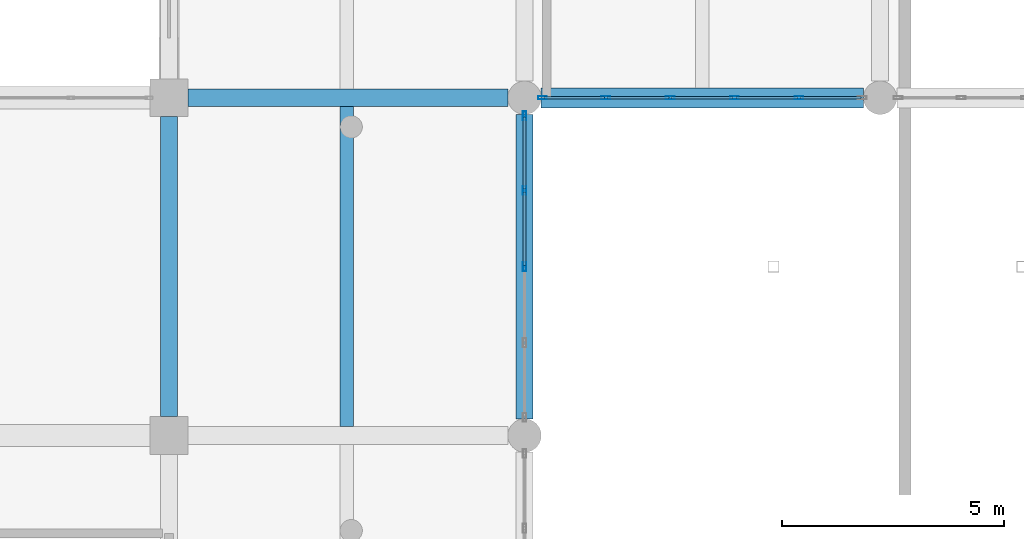
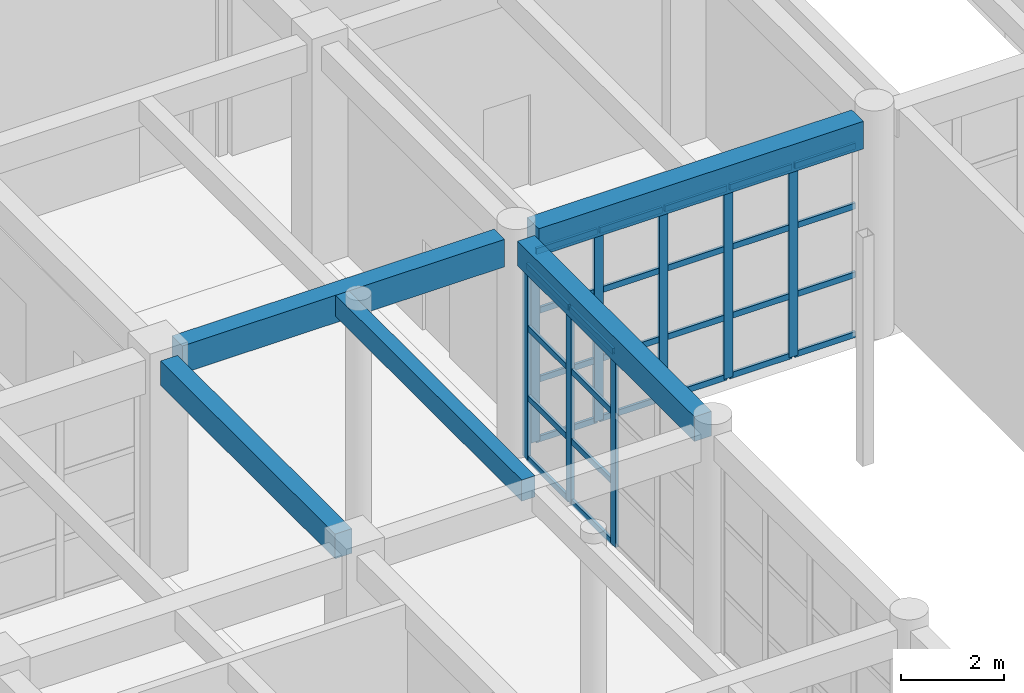
# One storey, part 46 of 95: 36 members, 5 beams, 2 elements without a shape of their own.
"""IFC4 building model written with IfcOpenShell, lengths in metres."""

from ifc_helpers import new_model, si_unit, direction, frame, origin, origin_2d, place, context, subcontext, project, spatial, rectangle, hollow_rectangle, extrude, material, material_profile, profile_set, type_object, element, aggregate, save


model = new_model("IFC4")

# Units and contexts
model_context = context("Model", 3, precision=1e-05, world=origin(), true_north=direction((0.0, 1.0)))
body_context = subcontext(model_context, "Body", "Model", "MODEL_VIEW")
ifc_project = project(units=[si_unit("LENGTHUNIT", "METRE"), si_unit("AREAUNIT", "SQUARE_METRE"), si_unit("VOLUMEUNIT", "CUBIC_METRE"), si_unit("PLANEANGLEUNIT", "RADIAN"), si_unit("MASSUNIT", "GRAM", prefix="KILO")], contexts=[model_context])

# Site, building, storey
site_placement = place(None, origin())
site = spatial("IfcSite", under=ifc_project, at=site_placement, CompositionType="ELEMENT")
building_placement = place(site_placement, origin())
building = spatial("IfcBuilding", under=site, at=building_placement, Name="Zantavel Square City Hall", CompositionType="ELEMENT")
storey_placement = place(building_placement, origin())
storey = spatial("IfcBuildingStorey", under=building, at=storey_placement, Name="L01", CompositionType="ELEMENT", Elevation=0.0)

# Beams
ifc_material_1 = material(Name="Concrete C35/45", Category="concrete")
ifc_material_profile_1 = material_profile(ifc_material_1, rectangle(XDim=0.3798828125, YDim=0.580078125, at=origin_2d()), Name="RC 380x580")
ifc_profile_set_1 = profile_set([ifc_material_profile_1], Name="Concrete C35/45")
beam_type_1 = type_object("IfcBeamType", Name="Annex Secondary Beam RC 380x580 C35/45", PredefinedType="BEAM", material=ifc_profile_set_1)
beam_1_placement = place(storey_placement, frame((112.0, 61.22509765625, 4.8701171875), z_axis=(0.0, 1.0, 0.0), x_axis=(-1.0, 0.0, 0.0)))
element("IfcBeam", 1, at=beam_1_placement, inside=storey, type_object=beam_type_1, Name="L01 Beam BMY-L01-1120-0608", PredefinedType="BEAM", context=body_context, shape_type="SweptSolid", body=[
    extrude(rectangle(XDim=0.3798828125, YDim=0.580078125, at=origin_2d()), origin(), (0.0, 0.0, 1.0), 6.75),
])
beam_2_placement = place(storey_placement, frame((120.0, 61.175048828125, 4.8701171875), z_axis=(0.0, 1.0, 0.0), x_axis=(-1.0, 0.0, 0.0)))
element("IfcBeam", 2, at=beam_2_placement, inside=storey, type_object=beam_type_1, Name="L01 Beam BMY-L01-1200-0608", PredefinedType="BEAM", context=body_context, shape_type="SweptSolid", body=[
    extrude(rectangle(XDim=0.3798828125, YDim=0.580078125, at=origin_2d()), origin(), (0.0, 0.0, 1.0), 6.849853515625),
])

# Curtain wall, members
ifc_material_2 = material(Name="Anodised aluminium 6063-T6", Category="aluminium")
curtain_wall_type_1 = type_object("IfcCurtainWallType", Name="Curtain Wall CRT 7250x4510", PredefinedType="USERDEFINED", material=ifc_material_2)
curtain_wall_1_placement = place(storey_placement, origin())
curtain_wall_1 = element("IfcCurtainWall", 3, at=curtain_wall_1_placement, inside=storey, type_object=curtain_wall_type_1, Name="L01 Glazed Curtain Wall CW-L01-022", ObjectType="GLAZED CURTAIN WALL", PredefinedType="USERDEFINED")
ifc_material_profile_2 = material_profile(ifc_material_2, hollow_rectangle(XDim=0.070068359375, YDim=0.199951171875, WallThickness=0.00439453125, at=origin_2d()), Name="ALU 70x200x4.5")
ifc_profile_set_2 = profile_set([ifc_material_profile_2], Name="Anodised aluminium 6063-T6")
member_type_1 = type_object("IfcMemberType", Name="CW Heavy Hall Mullion ALU 70x200x4.5", PredefinedType="MULLION", material=ifc_profile_set_2)
member_1_placement = place(storey_placement, frame((126.175048828125, 68.39990234375, 0.0), z_axis=(0.0, 0.0, 1.0), x_axis=(0.0, -1.0, 0.0)))
member_1 = element("IfcMember", 4, at=member_1_placement, type_object=member_type_1, Name="CW-022 mullion 2", PredefinedType="MULLION", context=body_context, shape_type="SweptSolid", body=[
    extrude(hollow_rectangle(XDim=0.070068359375, YDim=0.199951171875, WallThickness=0.00439453125, at=origin_2d()), origin(), (0.0, 0.0, 1.0), 4.510009765625),
])
member_2_placement = place(storey_placement, frame((124.72509765625, 68.39990234375, 0.0), z_axis=(0.0, 0.0, 1.0), x_axis=(0.0, -1.0, 0.0)))
member_2 = element("IfcMember", 5, at=member_2_placement, type_object=member_type_1, Name="CW-022 mullion 3", PredefinedType="MULLION", context=body_context, shape_type="SweptSolid", body=[
    extrude(hollow_rectangle(XDim=0.070068359375, YDim=0.199951171875, WallThickness=0.00439453125, at=origin_2d()), origin(), (0.0, 0.0, 1.0), 4.510009765625),
])
member_3_placement = place(storey_placement, frame((123.27490234375, 68.39990234375, 0.0), z_axis=(0.0, 0.0, 1.0), x_axis=(0.0, -1.0, 0.0)))
member_3 = element("IfcMember", 6, at=member_3_placement, type_object=member_type_1, Name="CW-022 mullion 4", PredefinedType="MULLION", context=body_context, shape_type="SweptSolid", body=[
    extrude(hollow_rectangle(XDim=0.070068359375, YDim=0.199951171875, WallThickness=0.00439453125, at=origin_2d()), origin(), (0.0, 0.0, 1.0), 4.510009765625),
])
member_4_placement = place(storey_placement, frame((121.824951171875, 68.39990234375, 0.0), z_axis=(0.0, 0.0, 1.0), x_axis=(0.0, -1.0, 0.0)))
member_4 = element("IfcMember", 7, at=member_4_placement, type_object=member_type_1, Name="CW-022 mullion 5", PredefinedType="MULLION", context=body_context, shape_type="SweptSolid", body=[
    extrude(hollow_rectangle(XDim=0.070068359375, YDim=0.199951171875, WallThickness=0.00439453125, at=origin_2d()), origin(), (0.0, 0.0, 1.0), 4.510009765625),
])
member_5_placement = place(storey_placement, frame((120.405029296875, 68.39990234375, 0.0), z_axis=(0.0, 0.0, 1.0), x_axis=(0.0, -1.0, 0.0)))
member_5 = element("IfcMember", 8, at=member_5_placement, type_object=member_type_1, Name="CW-022 mullion 6", PredefinedType="MULLION", context=body_context, shape_type="SweptSolid", body=[
    extrude(hollow_rectangle(XDim=0.070068359375, YDim=0.199951171875, WallThickness=0.00439453125, at=origin_2d()), origin(), (0.0, 0.0, 1.0), 4.510009765625),
])

curtain_wall_type_2 = type_object("IfcCurtainWallType", Name="Curtain Wall CRT 6850x4580", PredefinedType="USERDEFINED", material=ifc_material_2)
curtain_wall_2_placement = place(storey_placement, origin())
curtain_wall_2 = element("IfcCurtainWall", 9, at=curtain_wall_2_placement, inside=storey, type_object=curtain_wall_type_2, Name="L01 Glazed Curtain Wall CW-L01-023", ObjectType="GLAZED CURTAIN WALL", PredefinedType="USERDEFINED")
member_6_placement = place(storey_placement, frame((120.0, 67.9951171875, 0.0), z_axis=(0.0, 0.0, 1.0), x_axis=(1.0, 0.0, 0.0)))
member_6 = element("IfcMember", 10, at=member_6_placement, type_object=member_type_1, Name="CW-023 mullion 1", PredefinedType="MULLION", context=body_context, shape_type="SweptSolid", body=[
    extrude(hollow_rectangle(XDim=0.070068359375, YDim=0.199951171875, WallThickness=0.00439453125, at=origin_2d()), origin(), (0.0, 0.0, 1.0), 4.580078125),
])
member_7_placement = place(storey_placement, frame((120.0, 66.3125, 0.0), z_axis=(0.0, 0.0, 1.0), x_axis=(1.0, 0.0, 0.0)))
member_7 = element("IfcMember", 11, at=member_7_placement, type_object=member_type_1, Name="CW-023 mullion 2", PredefinedType="MULLION", context=body_context, shape_type="SweptSolid", body=[
    extrude(hollow_rectangle(XDim=0.070068359375, YDim=0.199951171875, WallThickness=0.00439453125, at=origin_2d()), origin(), (0.0, 0.0, 1.0), 4.580078125),
])
member_8_placement = place(storey_placement, frame((120.0, 64.60009765625, 0.0), z_axis=(0.0, 0.0, 1.0), x_axis=(1.0, 0.0, 0.0)))
member_8 = element("IfcMember", 12, at=member_8_placement, type_object=member_type_1, Name="CW-023 mullion 3", PredefinedType="MULLION", context=body_context, shape_type="SweptSolid", body=[
    extrude(hollow_rectangle(XDim=0.070068359375, YDim=0.199951171875, WallThickness=0.00439453125, at=origin_2d()), origin(), (0.0, 0.0, 1.0), 4.580078125),
])

# Member
ifc_material_profile_3 = material_profile(ifc_material_2, hollow_rectangle(XDim=0.06005859375, YDim=0.139892578125, WallThickness=0.00390625, at=origin_2d()), Name="ALU 60x140x4")
ifc_profile_set_3 = profile_set([ifc_material_profile_3], Name="Anodised aluminium 6063-T6")
member_type_2 = type_object("IfcMemberType", Name="CW Transom ALU 60x140x4", PredefinedType="USERDEFINED", material=ifc_profile_set_3)
member_9_placement = place(storey_placement, frame((127.56494140625, 68.39990234375, 0.030029296875), z_axis=(-1.0, 0.0, 0.0), x_axis=(0.0, -1.0, 0.0)))
member_9 = element("IfcMember", 13, at=member_9_placement, type_object=member_type_2, Name="CW-022 transom 1.1", ObjectType="TRANSOM", PredefinedType="USERDEFINED", context=body_context, shape_type="SweptSolid", body=[
    extrude(hollow_rectangle(XDim=0.06005859375, YDim=0.139892578125, WallThickness=0.00390625, at=origin_2d()), origin(), (0.0, 0.0, 1.0), 1.35986328125),
])

member_10_placement = place(storey_placement, frame((127.56494140625, 68.39990234375, 1.443115234375), z_axis=(-1.0, 0.0, 0.0), x_axis=(0.0, -1.0, 0.0)))
member_10 = element("IfcMember", 14, at=member_10_placement, type_object=member_type_2, Name="CW-022 transom 1.2", ObjectType="TRANSOM", PredefinedType="USERDEFINED", context=body_context, shape_type="SweptSolid", body=[
    extrude(hollow_rectangle(XDim=0.06005859375, YDim=0.139892578125, WallThickness=0.00390625, at=origin_2d()), origin(), (0.0, 0.0, 1.0), 1.35986328125),
])

member_11_placement = place(storey_placement, frame((127.56494140625, 68.39990234375, 3.06689453125), z_axis=(-1.0, 0.0, 0.0), x_axis=(0.0, -1.0, 0.0)))
member_11 = element("IfcMember", 15, at=member_11_placement, type_object=member_type_2, Name="CW-022 transom 1.3", ObjectType="TRANSOM", PredefinedType="USERDEFINED", context=body_context, shape_type="SweptSolid", body=[
    extrude(hollow_rectangle(XDim=0.06005859375, YDim=0.139892578125, WallThickness=0.00390625, at=origin_2d()), origin(), (0.0, 0.0, 1.0), 1.35986328125),
])

member_12_placement = place(storey_placement, frame((127.56494140625, 68.39990234375, 4.47998046875), z_axis=(-1.0, 0.0, 0.0), x_axis=(0.0, -1.0, 0.0)))
member_12 = element("IfcMember", 16, at=member_12_placement, type_object=member_type_2, Name="CW-022 transom 1.4", ObjectType="TRANSOM", PredefinedType="USERDEFINED", context=body_context, shape_type="SweptSolid", body=[
    extrude(hollow_rectangle(XDim=0.06005859375, YDim=0.139892578125, WallThickness=0.00390625, at=origin_2d()), origin(), (0.0, 0.0, 1.0), 1.35986328125),
])

member_13_placement = place(storey_placement, frame((126.14501953125, 68.39990234375, 0.030029296875), z_axis=(-1.0, 0.0, 0.0), x_axis=(0.0, -1.0, 0.0)))
member_13 = element("IfcMember", 17, at=member_13_placement, type_object=member_type_2, Name="CW-022 transom 2.1", ObjectType="TRANSOM", PredefinedType="USERDEFINED", context=body_context, shape_type="SweptSolid", body=[
    extrude(hollow_rectangle(XDim=0.06005859375, YDim=0.139892578125, WallThickness=0.00390625, at=origin_2d()), origin(), (0.0, 0.0, 1.0), 1.39013671875),
])

member_14_placement = place(storey_placement, frame((126.14501953125, 68.39990234375, 1.443115234375), z_axis=(-1.0, 0.0, 0.0), x_axis=(0.0, -1.0, 0.0)))
member_14 = element("IfcMember", 18, at=member_14_placement, type_object=member_type_2, Name="CW-022 transom 2.2", ObjectType="TRANSOM", PredefinedType="USERDEFINED", context=body_context, shape_type="SweptSolid", body=[
    extrude(hollow_rectangle(XDim=0.06005859375, YDim=0.139892578125, WallThickness=0.00390625, at=origin_2d()), origin(), (0.0, 0.0, 1.0), 1.39013671875),
])

member_15_placement = place(storey_placement, frame((126.14501953125, 68.39990234375, 3.06689453125), z_axis=(-1.0, 0.0, 0.0), x_axis=(0.0, -1.0, 0.0)))
member_15 = element("IfcMember", 19, at=member_15_placement, type_object=member_type_2, Name="CW-022 transom 2.3", ObjectType="TRANSOM", PredefinedType="USERDEFINED", context=body_context, shape_type="SweptSolid", body=[
    extrude(hollow_rectangle(XDim=0.06005859375, YDim=0.139892578125, WallThickness=0.00390625, at=origin_2d()), origin(), (0.0, 0.0, 1.0), 1.39013671875),
])

member_16_placement = place(storey_placement, frame((126.14501953125, 68.39990234375, 4.47998046875), z_axis=(-1.0, 0.0, 0.0), x_axis=(0.0, -1.0, 0.0)))
member_16 = element("IfcMember", 20, at=member_16_placement, type_object=member_type_2, Name="CW-022 transom 2.4", ObjectType="TRANSOM", PredefinedType="USERDEFINED", context=body_context, shape_type="SweptSolid", body=[
    extrude(hollow_rectangle(XDim=0.06005859375, YDim=0.139892578125, WallThickness=0.00390625, at=origin_2d()), origin(), (0.0, 0.0, 1.0), 1.39013671875),
])

member_17_placement = place(storey_placement, frame((124.695068359375, 68.39990234375, 0.030029296875), z_axis=(-1.0, 0.0, 0.0), x_axis=(0.0, -1.0, 0.0)))
member_17 = element("IfcMember", 21, at=member_17_placement, type_object=member_type_2, Name="CW-022 transom 3.1", ObjectType="TRANSOM", PredefinedType="USERDEFINED", context=body_context, shape_type="SweptSolid", body=[
    extrude(hollow_rectangle(XDim=0.06005859375, YDim=0.139892578125, WallThickness=0.00390625, at=origin_2d()), origin(), (0.0, 0.0, 1.0), 1.39013671875),
])

member_18_placement = place(storey_placement, frame((124.695068359375, 68.39990234375, 1.443115234375), z_axis=(-1.0, 0.0, 0.0), x_axis=(0.0, -1.0, 0.0)))
member_18 = element("IfcMember", 22, at=member_18_placement, type_object=member_type_2, Name="CW-022 transom 3.2", ObjectType="TRANSOM", PredefinedType="USERDEFINED", context=body_context, shape_type="SweptSolid", body=[
    extrude(hollow_rectangle(XDim=0.06005859375, YDim=0.139892578125, WallThickness=0.00390625, at=origin_2d()), origin(), (0.0, 0.0, 1.0), 1.39013671875),
])

member_19_placement = place(storey_placement, frame((124.695068359375, 68.39990234375, 3.06689453125), z_axis=(-1.0, 0.0, 0.0), x_axis=(0.0, -1.0, 0.0)))
member_19 = element("IfcMember", 23, at=member_19_placement, type_object=member_type_2, Name="CW-022 transom 3.3", ObjectType="TRANSOM", PredefinedType="USERDEFINED", context=body_context, shape_type="SweptSolid", body=[
    extrude(hollow_rectangle(XDim=0.06005859375, YDim=0.139892578125, WallThickness=0.00390625, at=origin_2d()), origin(), (0.0, 0.0, 1.0), 1.39013671875),
])

member_20_placement = place(storey_placement, frame((124.695068359375, 68.39990234375, 4.47998046875), z_axis=(-1.0, 0.0, 0.0), x_axis=(0.0, -1.0, 0.0)))
member_20 = element("IfcMember", 24, at=member_20_placement, type_object=member_type_2, Name="CW-022 transom 3.4", ObjectType="TRANSOM", PredefinedType="USERDEFINED", context=body_context, shape_type="SweptSolid", body=[
    extrude(hollow_rectangle(XDim=0.06005859375, YDim=0.139892578125, WallThickness=0.00390625, at=origin_2d()), origin(), (0.0, 0.0, 1.0), 1.39013671875),
])

member_21_placement = place(storey_placement, frame((123.2451171875, 68.39990234375, 0.030029296875), z_axis=(-1.0, 0.0, 0.0), x_axis=(0.0, -1.0, 0.0)))
member_21 = element("IfcMember", 25, at=member_21_placement, type_object=member_type_2, Name="CW-022 transom 4.1", ObjectType="TRANSOM", PredefinedType="USERDEFINED", context=body_context, shape_type="SweptSolid", body=[
    extrude(hollow_rectangle(XDim=0.06005859375, YDim=0.139892578125, WallThickness=0.00390625, at=origin_2d()), origin(), (0.0, 0.0, 1.0), 1.39013671875),
])

member_22_placement = place(storey_placement, frame((123.2451171875, 68.39990234375, 1.443115234375), z_axis=(-1.0, 0.0, 0.0), x_axis=(0.0, -1.0, 0.0)))
member_22 = element("IfcMember", 26, at=member_22_placement, type_object=member_type_2, Name="CW-022 transom 4.2", ObjectType="TRANSOM", PredefinedType="USERDEFINED", context=body_context, shape_type="SweptSolid", body=[
    extrude(hollow_rectangle(XDim=0.06005859375, YDim=0.139892578125, WallThickness=0.00390625, at=origin_2d()), origin(), (0.0, 0.0, 1.0), 1.39013671875),
])

member_23_placement = place(storey_placement, frame((123.2451171875, 68.39990234375, 3.06689453125), z_axis=(-1.0, 0.0, 0.0), x_axis=(0.0, -1.0, 0.0)))
member_23 = element("IfcMember", 27, at=member_23_placement, type_object=member_type_2, Name="CW-022 transom 4.3", ObjectType="TRANSOM", PredefinedType="USERDEFINED", context=body_context, shape_type="SweptSolid", body=[
    extrude(hollow_rectangle(XDim=0.06005859375, YDim=0.139892578125, WallThickness=0.00390625, at=origin_2d()), origin(), (0.0, 0.0, 1.0), 1.39013671875),
])

member_24_placement = place(storey_placement, frame((123.2451171875, 68.39990234375, 4.47998046875), z_axis=(-1.0, 0.0, 0.0), x_axis=(0.0, -1.0, 0.0)))
member_24 = element("IfcMember", 28, at=member_24_placement, type_object=member_type_2, Name="CW-022 transom 4.4", ObjectType="TRANSOM", PredefinedType="USERDEFINED", context=body_context, shape_type="SweptSolid", body=[
    extrude(hollow_rectangle(XDim=0.06005859375, YDim=0.139892578125, WallThickness=0.00390625, at=origin_2d()), origin(), (0.0, 0.0, 1.0), 1.39013671875),
])

member_25_placement = place(storey_placement, frame((121.794921875, 68.39990234375, 0.030029296875), z_axis=(-1.0, 0.0, 0.0), x_axis=(0.0, -1.0, 0.0)))
member_25 = element("IfcMember", 29, at=member_25_placement, type_object=member_type_2, Name="CW-022 transom 5.1", ObjectType="TRANSOM", PredefinedType="USERDEFINED", context=body_context, shape_type="SweptSolid", body=[
    extrude(hollow_rectangle(XDim=0.06005859375, YDim=0.139892578125, WallThickness=0.00390625, at=origin_2d()), origin(), (0.0, 0.0, 1.0), 1.35986328125),
])

member_26_placement = place(storey_placement, frame((121.794921875, 68.39990234375, 1.443115234375), z_axis=(-1.0, 0.0, 0.0), x_axis=(0.0, -1.0, 0.0)))
member_26 = element("IfcMember", 30, at=member_26_placement, type_object=member_type_2, Name="CW-022 transom 5.2", ObjectType="TRANSOM", PredefinedType="USERDEFINED", context=body_context, shape_type="SweptSolid", body=[
    extrude(hollow_rectangle(XDim=0.06005859375, YDim=0.139892578125, WallThickness=0.00390625, at=origin_2d()), origin(), (0.0, 0.0, 1.0), 1.35986328125),
])

member_27_placement = place(storey_placement, frame((121.794921875, 68.39990234375, 3.06689453125), z_axis=(-1.0, 0.0, 0.0), x_axis=(0.0, -1.0, 0.0)))
member_27 = element("IfcMember", 31, at=member_27_placement, type_object=member_type_2, Name="CW-022 transom 5.3", ObjectType="TRANSOM", PredefinedType="USERDEFINED", context=body_context, shape_type="SweptSolid", body=[
    extrude(hollow_rectangle(XDim=0.06005859375, YDim=0.139892578125, WallThickness=0.00390625, at=origin_2d()), origin(), (0.0, 0.0, 1.0), 1.35986328125),
])

member_28_placement = place(storey_placement, frame((121.794921875, 68.39990234375, 4.47998046875), z_axis=(-1.0, 0.0, 0.0), x_axis=(0.0, -1.0, 0.0)))
member_28 = element("IfcMember", 32, at=member_28_placement, type_object=member_type_2, Name="CW-022 transom 5.4", ObjectType="TRANSOM", PredefinedType="USERDEFINED", context=body_context, shape_type="SweptSolid", body=[
    extrude(hollow_rectangle(XDim=0.06005859375, YDim=0.139892578125, WallThickness=0.00390625, at=origin_2d()), origin(), (0.0, 0.0, 1.0), 1.35986328125),
])

aggregate(curtain_wall_1, [member_1, member_2, member_3, member_4, member_5, member_9, member_10, member_11, member_12, member_13, member_14, member_15, member_16, member_17, member_18, member_19, member_20, member_21, member_22, member_23, member_24, member_25, member_26, member_27, member_28])

member_29_placement = place(storey_placement, frame((120.0, 67.965087890625, 0.030029296875), z_axis=(0.0, -1.0, 0.0), x_axis=(1.0, 0.0, 0.0)))
member_29 = element("IfcMember", 33, at=member_29_placement, type_object=member_type_2, Name="CW-023 transom 1.1", ObjectType="TRANSOM", PredefinedType="USERDEFINED", context=body_context, shape_type="SweptSolid", body=[
    extrude(hollow_rectangle(XDim=0.06005859375, YDim=0.139892578125, WallThickness=0.00390625, at=origin_2d()), origin(), (0.0, 0.0, 1.0), 1.62255859375),
])

member_30_placement = place(storey_placement, frame((120.0, 67.965087890625, 1.466064453125), z_axis=(0.0, -1.0, 0.0), x_axis=(1.0, 0.0, 0.0)))
member_30 = element("IfcMember", 34, at=member_30_placement, type_object=member_type_2, Name="CW-023 transom 1.2", ObjectType="TRANSOM", PredefinedType="USERDEFINED", context=body_context, shape_type="SweptSolid", body=[
    extrude(hollow_rectangle(XDim=0.06005859375, YDim=0.139892578125, WallThickness=0.00390625, at=origin_2d()), origin(), (0.0, 0.0, 1.0), 1.62255859375),
])

member_31_placement = place(storey_placement, frame((120.0, 67.965087890625, 3.114013671875), z_axis=(0.0, -1.0, 0.0), x_axis=(1.0, 0.0, 0.0)))
member_31 = element("IfcMember", 35, at=member_31_placement, type_object=member_type_2, Name="CW-023 transom 1.3", ObjectType="TRANSOM", PredefinedType="USERDEFINED", context=body_context, shape_type="SweptSolid", body=[
    extrude(hollow_rectangle(XDim=0.06005859375, YDim=0.139892578125, WallThickness=0.00390625, at=origin_2d()), origin(), (0.0, 0.0, 1.0), 1.62255859375),
])

member_32_placement = place(storey_placement, frame((120.0, 67.965087890625, 4.550048828125), z_axis=(0.0, -1.0, 0.0), x_axis=(1.0, 0.0, 0.0)))
member_32 = element("IfcMember", 36, at=member_32_placement, type_object=member_type_2, Name="CW-023 transom 1.4", ObjectType="TRANSOM", PredefinedType="USERDEFINED", context=body_context, shape_type="SweptSolid", body=[
    extrude(hollow_rectangle(XDim=0.06005859375, YDim=0.139892578125, WallThickness=0.00390625, at=origin_2d()), origin(), (0.0, 0.0, 1.0), 1.62255859375),
])

member_33_placement = place(storey_placement, frame((120.0, 66.282470703125, 0.030029296875), z_axis=(0.0, -1.0, 0.0), x_axis=(1.0, 0.0, 0.0)))
member_33 = element("IfcMember", 37, at=member_33_placement, type_object=member_type_2, Name="CW-023 transom 2.1", ObjectType="TRANSOM", PredefinedType="USERDEFINED", context=body_context, shape_type="SweptSolid", body=[
    extrude(hollow_rectangle(XDim=0.06005859375, YDim=0.139892578125, WallThickness=0.00390625, at=origin_2d()), origin(), (0.0, 0.0, 1.0), 1.652587890625),
])

member_34_placement = place(storey_placement, frame((120.0, 66.282470703125, 1.466064453125), z_axis=(0.0, -1.0, 0.0), x_axis=(1.0, 0.0, 0.0)))
member_34 = element("IfcMember", 38, at=member_34_placement, type_object=member_type_2, Name="CW-023 transom 2.2", ObjectType="TRANSOM", PredefinedType="USERDEFINED", context=body_context, shape_type="SweptSolid", body=[
    extrude(hollow_rectangle(XDim=0.06005859375, YDim=0.139892578125, WallThickness=0.00390625, at=origin_2d()), origin(), (0.0, 0.0, 1.0), 1.652587890625),
])

member_35_placement = place(storey_placement, frame((120.0, 66.282470703125, 3.114013671875), z_axis=(0.0, -1.0, 0.0), x_axis=(1.0, 0.0, 0.0)))
member_35 = element("IfcMember", 39, at=member_35_placement, type_object=member_type_2, Name="CW-023 transom 2.3", ObjectType="TRANSOM", PredefinedType="USERDEFINED", context=body_context, shape_type="SweptSolid", body=[
    extrude(hollow_rectangle(XDim=0.06005859375, YDim=0.139892578125, WallThickness=0.00390625, at=origin_2d()), origin(), (0.0, 0.0, 1.0), 1.652587890625),
])

member_36_placement = place(storey_placement, frame((120.0, 66.282470703125, 4.550048828125), z_axis=(0.0, -1.0, 0.0), x_axis=(1.0, 0.0, 0.0)))
member_36 = element("IfcMember", 40, at=member_36_placement, type_object=member_type_2, Name="CW-023 transom 2.4", ObjectType="TRANSOM", PredefinedType="USERDEFINED", context=body_context, shape_type="SweptSolid", body=[
    extrude(hollow_rectangle(XDim=0.06005859375, YDim=0.139892578125, WallThickness=0.00390625, at=origin_2d()), origin(), (0.0, 0.0, 1.0), 1.652587890625),
])

aggregate(curtain_wall_2, [member_6, member_7, member_8, member_29, member_30, member_31, member_32, member_33, member_34, member_35, member_36])

# Beams
ifc_material_profile_4 = material_profile(ifc_material_1, rectangle(XDim=0.449951171875, YDim=0.64990234375, at=origin_2d()), Name="RC 450x650")
ifc_profile_set_4 = profile_set([ifc_material_profile_4], Name="Concrete C35/45")
beam_type_2 = type_object("IfcBeamType", Name="Courtyard Cloister Girder RC 450x650 C35/45", PredefinedType="BEAM", material=ifc_profile_set_4)
beam_3_placement = place(storey_placement, frame((120.375, 68.39990234375, 4.8349609375), z_axis=(1.0, 0.0, 0.0), x_axis=(0.0, 1.0, 0.0)))
element("IfcBeam", 41, at=beam_3_placement, inside=storey, type_object=beam_type_2, Name="L01 Girder BMX-L01-1200-0684", PredefinedType="BEAM", context=body_context, shape_type="SweptSolid", body=[
    extrude(rectangle(XDim=0.449951171875, YDim=0.64990234375, at=origin_2d()), origin(), (0.0, 0.0, 1.0), 7.25),
])
ifc_material_profile_5 = material_profile(ifc_material_1, rectangle(XDim=0.300048828125, YDim=0.5, at=origin_2d()), Name="RC 300x500")
ifc_profile_set_5 = profile_set([ifc_material_profile_5], Name="Concrete C35/45")
beam_type_3 = type_object("IfcBeamType", Name="Floor Joist RC 300x500 C35/45", PredefinedType="JOIST", material=ifc_profile_set_5)
beam_4_placement = place(storey_placement, frame((116.0, 61.0, 4.909912109375), z_axis=(0.0, 1.0, 0.0), x_axis=(-1.0, 0.0, 0.0)))
element("IfcBeam", 42, at=beam_4_placement, inside=storey, type_object=beam_type_3, Name="L01 Floor Joist JST-L01-1160-0608", PredefinedType="JOIST", context=body_context, shape_type="SweptSolid", body=[
    extrude(rectangle(XDim=0.300048828125, YDim=0.5, at=origin_2d()), origin(), (0.0, 0.0, 1.0), 7.199951171875),
])
ifc_material_profile_6 = material_profile(ifc_material_1, rectangle(XDim=0.39990234375, YDim=0.64990234375, at=origin_2d()), Name="RC 400x650")
ifc_profile_set_6 = profile_set([ifc_material_profile_6], Name="Concrete C35/45")
beam_type_4 = type_object("IfcBeamType", Name="Frame Beam RC 400x650 C35/45", PredefinedType="BEAM", material=ifc_profile_set_6)
beam_5_placement = place(storey_placement, frame((112.425048828125, 68.39990234375, 4.8349609375), z_axis=(1.0, 0.0, 0.0), x_axis=(0.0, 1.0, 0.0)))
element("IfcBeam", 43, at=beam_5_placement, inside=storey, type_object=beam_type_4, Name="L01 Girder BMX-L01-1120-0684", PredefinedType="BEAM", context=body_context, shape_type="SweptSolid", body=[
    extrude(rectangle(XDim=0.39990234375, YDim=0.64990234375, at=origin_2d()), origin(), (0.0, 0.0, 1.0), 7.199951171875),
])

save(model, "model.ifc")
